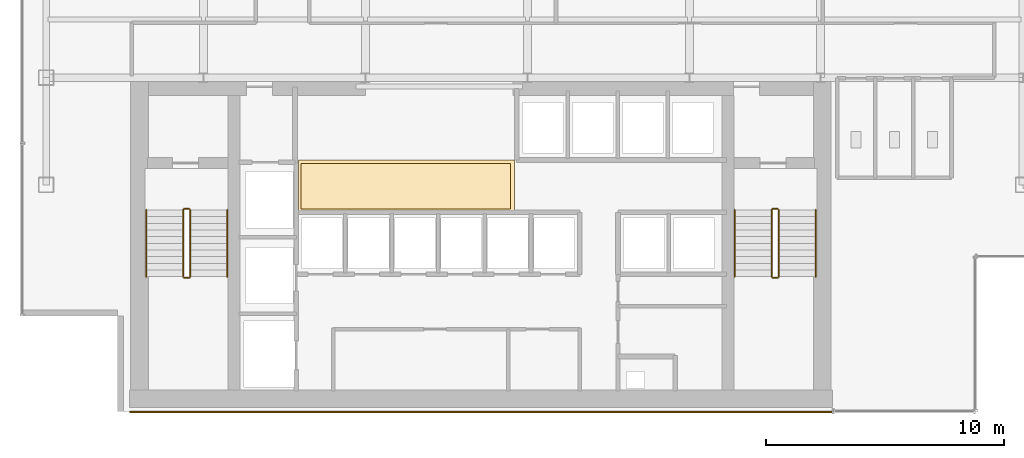
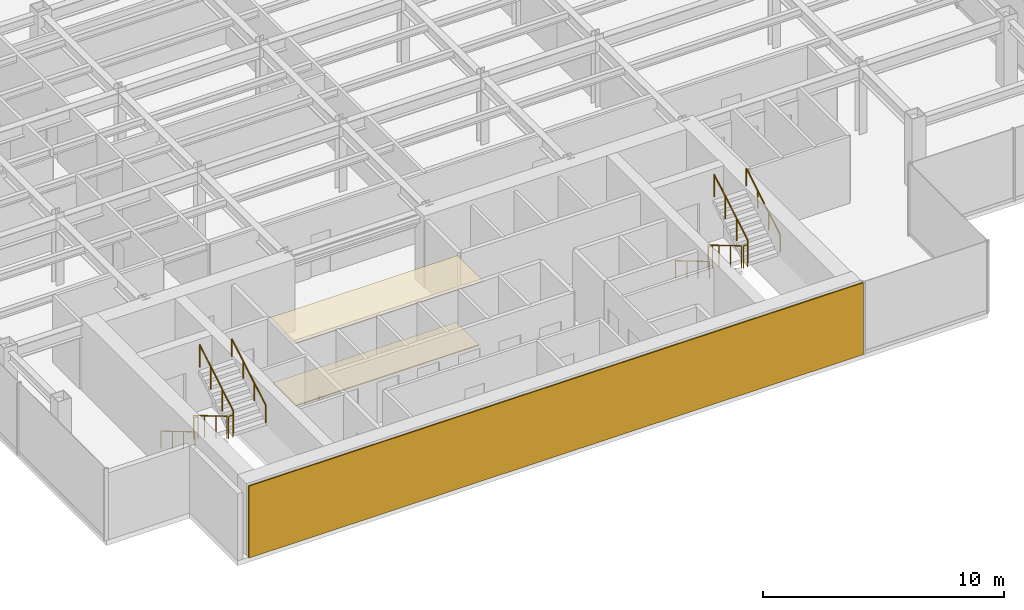
# One storey, part 23 of 25: 12 railings, 3 coverings.
"""IFC4 building model written with IfcOpenShell, lengths in metres."""

from ifc_helpers import new_model, si_unit, derived_unit, direction, frame, origin, origin_2d, place, context, subcontext, project, spatial, polyline, rectangle, circle, outline, extrude, source, transform, mapped, material, layer, layer_set, type_object, element, save


model = new_model("IFC4")

# Units and contexts
model_context = context("Model", 3, precision=1e-05, world=origin(), true_north=direction((0.0, 1.0)))
body_context = subcontext(model_context, "Body", "Model", "MODEL_VIEW")
ifc_project = project(units=[si_unit("LENGTHUNIT", "METRE"), si_unit("AREAUNIT", "SQUARE_METRE"), si_unit("VOLUMEUNIT", "CUBIC_METRE"), si_unit("PLANEANGLEUNIT", "RADIAN"), si_unit("MASSUNIT", "GRAM", prefix="KILO"), derived_unit("THERMALTRANSMITTANCEUNIT", [(si_unit("POWERUNIT", "WATT"), 1), (si_unit("LENGTHUNIT", "METRE"), -2), (si_unit("THERMODYNAMICTEMPERATUREUNIT", "KELVIN"), -1)])], contexts=[model_context])

# Site, building, storey
site_placement = place(None, origin())
site = spatial("IfcSite", under=ifc_project, at=site_placement, CompositionType="ELEMENT")
building_placement = place(site_placement, origin())
building = spatial("IfcBuilding", under=site, at=building_placement, Name="Skarnbrae Concourse Arena and Tower", CompositionType="ELEMENT")
storey_placement = place(building_placement, frame((0.0, 0.0, 169.800048828125)))
storey = spatial("IfcBuildingStorey", under=building, at=storey_placement, Name="L43", CompositionType="ELEMENT", Elevation=169.800048828125)

# Coverings
ifc_material_1 = material(Name="Mineral fibre acoustic ceiling tile", Category="other")
ifc_layer_1 = layer(ifc_material_1, 0.0400390625)
ifc_layer_set_1 = layer_set([ifc_layer_1], Name="Mineral fibre acoustic ceiling tile")
covering_type_1 = type_object("IfcCoveringType", Name="COV-CEIL-ACOUSTIC", PredefinedType="CEILING", material=ifc_layer_set_1)
covering_1_placement = place(storey_placement, frame((0.0, 0.0, 3.239990234375)))
element("IfcCovering", 1, at=covering_1_placement, inside=storey, type_object=covering_type_1, Name="L43 Lift lobby acoustic ceiling", PredefinedType="CEILING", context=body_context, shape_type="SweptSolid", body=[
    extrude(outline(polyline([(11.60009765625, 8.39990234375), (20.64990234375, 8.39990234375), (20.64990234375, 10.550048828125), (11.60009765625, 10.550048828125), (11.60009765625, 8.39990234375)])), origin(), (0.0, 0.0, 1.0), 0.0400390625),
])
ifc_material_2 = material(Name="Polished granite terrazzo flooring", Category="masonry")
ifc_layer_2 = layer(ifc_material_2, 0.0400390625)
ifc_layer_set_2 = layer_set([ifc_layer_2], Name="Polished granite terrazzo flooring")
covering_type_2 = type_object("IfcCoveringType", Name="COV-FLOOR-TERRAZZO", PredefinedType="FLOORING", material=ifc_layer_set_2)
covering_2_placement = place(storey_placement, origin())
element("IfcCovering", 2, at=covering_2_placement, inside=storey, type_object=covering_type_2, Name="L43 Lift lobby terrazzo flooring", PredefinedType="FLOORING", context=body_context, shape_type="SweptSolid", body=[
    extrude(outline(polyline([(11.699951171875, 8.5), (20.5, 8.5), (20.5, 10.39990234375), (11.699951171875, 10.39990234375), (11.699951171875, 8.5)])), origin(), (0.0, 0.0, 1.0), 0.0400390625),
])

# Railings
ifc_material_3 = material(Name="Steel CSA G40.21 350W", Category="steel")
railing_type_1 = type_object("IfcRailingType", Name="RAIL-HANDRAIL-900", PredefinedType="HANDRAIL", material=ifc_material_3)
railing_1_placement = place(storey_placement, frame((5.199951171875, 8.449951171875, 0.165771484375)))
element("IfcRailing", 3, at=railing_1_placement, inside=storey, type_object=railing_type_1, Name="L43 ST-1 stair handrail 1", PredefinedType="HANDRAIL", context=body_context, shape_type="SweptSolid", body=[
    extrude(circle(Radius=0.02392578125, at=origin_2d()), frame((0.0, 0.0, 0.8759765625), z_axis=(0.0, -0.860306154799, 0.50977771628), x_axis=(1.0, 0.0, 0.0)), (0.0, 0.0, 1.0), 3.254638671875),
    extrude(circle(Radius=0.02099609375, at=origin_2d()), origin(), (0.0, 0.0, 1.0), 0.851806640625),
    extrude(circle(Radius=0.02099609375, at=origin_2d()), frame((0.0, -0.933349609375, 0.552978515625)), (0.0, 0.0, 1.0), 0.851806640625),
    extrude(circle(Radius=0.02099609375, at=origin_2d()), frame((0.0, -1.86669921875, 1.106201171875)), (0.0, 0.0, 1.0), 0.851806640625),
    extrude(circle(Radius=0.02099609375, at=origin_2d()), frame((0.0, -2.800048828125, 1.6591796875)), (0.0, 0.0, 1.0), 0.851806640625),
])
railing_2_placement = place(storey_placement, frame((8.60009765625, 5.64990234375, 1.990966796875)))
element("IfcRailing", 4, at=railing_2_placement, inside=storey, type_object=railing_type_1, Name="L43 ST-1 stair handrail 2", PredefinedType="HANDRAIL", context=body_context, shape_type="SweptSolid", body=[
    extrude(circle(Radius=0.02392578125, at=origin_2d()), frame((0.0, 0.0, 0.8759765625), z_axis=(0.0, 0.860339051648, 0.50972219513), x_axis=(-1.0, 0.0, 0.0)), (0.0, 0.0, 1.0), 3.254638671875),
    extrude(circle(Radius=0.02099609375, at=origin_2d()), origin(), (0.0, 0.0, 1.0), 0.851806640625),
    extrude(circle(Radius=0.02099609375, at=origin_2d()), frame((0.0, 0.933349609375, 0.552978515625)), (0.0, 0.0, 1.0), 0.851806640625),
    extrude(circle(Radius=0.02099609375, at=origin_2d()), frame((0.0, 1.86669921875, 1.10595703125)), (0.0, 0.0, 1.0), 0.851806640625),
    extrude(circle(Radius=0.02099609375, at=origin_2d()), frame((0.0, 2.800048828125, 1.658935546875)), (0.0, 0.0, 1.0), 0.851806640625),
])
railing_3_placement = place(storey_placement, frame((29.89990234375, 8.449951171875, 0.165771484375)))
element("IfcRailing", 5, at=railing_3_placement, inside=storey, type_object=railing_type_1, Name="L43 ST-2 stair handrail 1", PredefinedType="HANDRAIL", context=body_context, shape_type="SweptSolid", body=[
    extrude(circle(Radius=0.02392578125, at=origin_2d()), frame((0.0, 0.0, 0.8759765625), z_axis=(0.0, -0.860306154799, 0.50977771628), x_axis=(1.0, 0.0, 0.0)), (0.0, 0.0, 1.0), 3.254638671875),
    extrude(circle(Radius=0.02099609375, at=origin_2d()), origin(), (0.0, 0.0, 1.0), 0.851806640625),
    extrude(circle(Radius=0.02099609375, at=origin_2d()), frame((0.0, -0.933349609375, 0.552978515625)), (0.0, 0.0, 1.0), 0.851806640625),
    extrude(circle(Radius=0.02099609375, at=origin_2d()), frame((0.0, -1.86669921875, 1.106201171875)), (0.0, 0.0, 1.0), 0.851806640625),
    extrude(circle(Radius=0.02099609375, at=origin_2d()), frame((0.0, -2.800048828125, 1.6591796875)), (0.0, 0.0, 1.0), 0.851806640625),
])
railing_4_placement = place(storey_placement, frame((33.300048828125, 5.64990234375, 1.990966796875)))
element("IfcRailing", 6, at=railing_4_placement, inside=storey, type_object=railing_type_1, Name="L43 ST-2 stair handrail 2", PredefinedType="HANDRAIL", context=body_context, shape_type="SweptSolid", body=[
    extrude(circle(Radius=0.02392578125, at=origin_2d()), frame((0.0, 0.0, 0.8759765625), z_axis=(0.0, 0.860339051648, 0.50972219513), x_axis=(-1.0, 0.0, 0.0)), (0.0, 0.0, 1.0), 3.254638671875),
    extrude(circle(Radius=0.02099609375, at=origin_2d()), origin(), (0.0, 0.0, 1.0), 0.851806640625),
    extrude(circle(Radius=0.02099609375, at=origin_2d()), frame((0.0, 0.933349609375, 0.552978515625)), (0.0, 0.0, 1.0), 0.851806640625),
    extrude(circle(Radius=0.02099609375, at=origin_2d()), frame((0.0, 1.86669921875, 1.10595703125)), (0.0, 0.0, 1.0), 0.851806640625),
    extrude(circle(Radius=0.02099609375, at=origin_2d()), frame((0.0, 2.800048828125, 1.658935546875)), (0.0, 0.0, 1.0), 0.851806640625),
])
railing_type_2 = type_object("IfcRailingType", Name="RAIL-STAIR-GUARD-1150", PredefinedType="GUARDRAIL", material=ifc_material_3)
railing_5_placement = place(storey_placement, frame((6.75, 8.449951171875, 0.165771484375)))
element("IfcRailing", 7, at=railing_5_placement, inside=storey, type_object=railing_type_2, Name="L43 ST-1 stair guard 1", PredefinedType="GUARDRAIL", context=body_context, shape_type="SweptSolid", body=[
    extrude(circle(Radius=0.02392578125, at=origin_2d()), frame((0.0, 0.0, 1.1259765625), z_axis=(0.0, -0.860306154799, 0.50977771628), x_axis=(1.0, 0.0, 0.0)), (0.0, 0.0, 1.0), 3.254638671875),
    extrude(circle(Radius=0.02099609375, at=origin_2d()), origin(), (0.0, 0.0, 1.0), 1.101806640625),
    extrude(circle(Radius=0.02099609375, at=origin_2d()), frame((0.0, -0.933349609375, 0.552978515625)), (0.0, 0.0, 1.0), 1.101806640625),
    extrude(circle(Radius=0.02099609375, at=origin_2d()), frame((0.0, -1.86669921875, 1.106201171875)), (0.0, 0.0, 1.0), 1.101806640625),
    extrude(circle(Radius=0.02099609375, at=origin_2d()), frame((0.0, -2.800048828125, 1.6591796875)), (0.0, 0.0, 1.0), 1.101806640625),
])
railing_6_placement = place(storey_placement, frame((6.800048828125, 5.60009765625, 1.824951171875)))
element("IfcRailing", 8, at=railing_6_placement, inside=storey, type_object=railing_type_2, Name="L43 ST-1 stair guard 2", PredefinedType="GUARDRAIL", context=body_context, shape_type="SweptSolid", body=[
    extrude(circle(Radius=0.02392578125, at=origin_2d()), frame((0.0, 0.0, 1.1259765625), z_axis=(1.0, 0.0, 0.0), x_axis=(0.0, 1.0, 0.0)), (0.0, 0.0, 1.0), 0.199951171875),
    extrude(circle(Radius=0.02099609375, at=origin_2d()), origin(), (0.0, 0.0, 1.0), 1.101806640625),
    extrude(circle(Radius=0.02099609375, at=origin_2d()), frame((0.199951171875, 0.0, 0.0)), (0.0, 0.0, 1.0), 1.101806640625),
])
railing_7_placement = place(storey_placement, frame((7.050048828125, 5.64990234375, 1.990966796875)))
element("IfcRailing", 9, at=railing_7_placement, inside=storey, type_object=railing_type_2, Name="L43 ST-1 stair guard 3", PredefinedType="GUARDRAIL", context=body_context, shape_type="SweptSolid", body=[
    extrude(circle(Radius=0.02392578125, at=origin_2d()), frame((0.0, 0.0, 1.1259765625), z_axis=(0.0, 0.860339051648, 0.50972219513), x_axis=(-1.0, 0.0, 0.0)), (0.0, 0.0, 1.0), 3.254638671875),
    extrude(circle(Radius=0.02099609375, at=origin_2d()), origin(), (0.0, 0.0, 1.0), 1.101806640625),
    extrude(circle(Radius=0.02099609375, at=origin_2d()), frame((0.0, 0.933349609375, 0.552978515625)), (0.0, 0.0, 1.0), 1.101806640625),
    extrude(circle(Radius=0.02099609375, at=origin_2d()), frame((0.0, 1.86669921875, 1.10595703125)), (0.0, 0.0, 1.0), 1.101806640625),
    extrude(circle(Radius=0.02099609375, at=origin_2d()), frame((0.0, 2.800048828125, 1.658935546875)), (0.0, 0.0, 1.0), 1.101806640625),
])
railing_8_placement = place(storey_placement, frame((6.800048828125, 8.5, 0.0)))
element("IfcRailing", 10, at=railing_8_placement, inside=storey, type_object=railing_type_2, Name="L43 ST-1 stair guard 4", PredefinedType="GUARDRAIL", context=body_context, shape_type="SweptSolid", body=[
    extrude(circle(Radius=0.02392578125, at=origin_2d()), frame((0.0, 0.0, 1.1259765625), z_axis=(1.0, 0.0, 0.0), x_axis=(0.0, 1.0, 0.0)), (0.0, 0.0, 1.0), 0.199951171875),
    extrude(circle(Radius=0.02099609375, at=origin_2d()), origin(), (0.0, 0.0, 1.0), 1.101806640625),
    extrude(circle(Radius=0.02099609375, at=origin_2d()), frame((0.199951171875, 0.0, 0.0)), (0.0, 0.0, 1.0), 1.101806640625),
])
railing_9_placement = place(storey_placement, frame((31.449951171875, 8.449951171875, 0.165771484375)))
element("IfcRailing", 11, at=railing_9_placement, inside=storey, type_object=railing_type_2, Name="L43 ST-2 stair guard 1", PredefinedType="GUARDRAIL", context=body_context, shape_type="SweptSolid", body=[
    extrude(circle(Radius=0.02392578125, at=origin_2d()), frame((0.0, 0.0, 1.1259765625), z_axis=(0.0, -0.860306154799, 0.50977771628), x_axis=(1.0, 0.0, 0.0)), (0.0, 0.0, 1.0), 3.254638671875),
    extrude(circle(Radius=0.02099609375, at=origin_2d()), origin(), (0.0, 0.0, 1.0), 1.101806640625),
    extrude(circle(Radius=0.02099609375, at=origin_2d()), frame((0.0, -0.933349609375, 0.552978515625)), (0.0, 0.0, 1.0), 1.101806640625),
    extrude(circle(Radius=0.02099609375, at=origin_2d()), frame((0.0, -1.86669921875, 1.106201171875)), (0.0, 0.0, 1.0), 1.101806640625),
    extrude(circle(Radius=0.02099609375, at=origin_2d()), frame((0.0, -2.800048828125, 1.6591796875)), (0.0, 0.0, 1.0), 1.101806640625),
])
railing_10_placement = place(storey_placement, frame((31.5, 5.60009765625, 1.824951171875)))
element("IfcRailing", 12, at=railing_10_placement, inside=storey, type_object=railing_type_2, Name="L43 ST-2 stair guard 2", PredefinedType="GUARDRAIL", context=body_context, shape_type="SweptSolid", body=[
    extrude(circle(Radius=0.02392578125, at=origin_2d()), frame((0.0, 0.0, 1.1259765625), z_axis=(1.0, 0.0, 0.0), x_axis=(0.0, 1.0, 0.0)), (0.0, 0.0, 1.0), 0.199951171875),
    extrude(circle(Radius=0.02099609375, at=origin_2d()), origin(), (0.0, 0.0, 1.0), 1.101806640625),
    extrude(circle(Radius=0.02099609375, at=origin_2d()), frame((0.199951171875, 0.0, 0.0)), (0.0, 0.0, 1.0), 1.101806640625),
])
railing_11_placement = place(storey_placement, frame((31.75, 5.64990234375, 1.990966796875)))
element("IfcRailing", 13, at=railing_11_placement, inside=storey, type_object=railing_type_2, Name="L43 ST-2 stair guard 3", PredefinedType="GUARDRAIL", context=body_context, shape_type="SweptSolid", body=[
    extrude(circle(Radius=0.02392578125, at=origin_2d()), frame((0.0, 0.0, 1.1259765625), z_axis=(0.0, 0.860339051648, 0.50972219513), x_axis=(-1.0, 0.0, 0.0)), (0.0, 0.0, 1.0), 3.254638671875),
    extrude(circle(Radius=0.02099609375, at=origin_2d()), origin(), (0.0, 0.0, 1.0), 1.101806640625),
    extrude(circle(Radius=0.02099609375, at=origin_2d()), frame((0.0, 0.933349609375, 0.552978515625)), (0.0, 0.0, 1.0), 1.101806640625),
    extrude(circle(Radius=0.02099609375, at=origin_2d()), frame((0.0, 1.86669921875, 1.10595703125)), (0.0, 0.0, 1.0), 1.101806640625),
    extrude(circle(Radius=0.02099609375, at=origin_2d()), frame((0.0, 2.800048828125, 1.658935546875)), (0.0, 0.0, 1.0), 1.101806640625),
])
railing_12_placement = place(storey_placement, frame((31.5, 8.5, 0.0)))
element("IfcRailing", 14, at=railing_12_placement, inside=storey, type_object=railing_type_2, Name="L43 ST-2 stair guard 4", PredefinedType="GUARDRAIL", context=body_context, shape_type="SweptSolid", body=[
    extrude(circle(Radius=0.02392578125, at=origin_2d()), frame((0.0, 0.0, 1.1259765625), z_axis=(1.0, 0.0, 0.0), x_axis=(0.0, 1.0, 0.0)), (0.0, 0.0, 1.0), 0.199951171875),
    extrude(circle(Radius=0.02099609375, at=origin_2d()), origin(), (0.0, 0.0, 1.0), 1.101806640625),
    extrude(circle(Radius=0.02099609375, at=origin_2d()), frame((0.199951171875, 0.0, 0.0)), (0.0, 0.0, 1.0), 1.101806640625),
])

# Covering
ifc_material_4 = material(Name="Bronze anodised aluminium 6063-T6", Category="aluminium")
ifc_layer_3 = layer(ifc_material_4, 0.06005859375)
ifc_layer_set_3 = layer_set([ifc_layer_3], Name="Bronze anodised aluminium 6063-T6")
covering_type_3 = type_object("IfcCoveringType", Name="COV-CLAD-BRONZE-60", PredefinedType="CLADDING", material=ifc_layer_set_3)
shared_shape = source(origin(), body_context, "Body", "SweptSolid", [
    extrude(rectangle(XDim=29.5, YDim=0.06005859375, at=origin_2d()), origin(), (0.0, 0.0, 1.0), 3.64990234375),
])
covering_3_placement = place(storey_placement, frame((19.25, -0.030029296875, 0.0), z_axis=(0.0, 0.0, 1.0), x_axis=(1.0, 0.0, 0.0)))
element("IfcCovering", 15, at=covering_3_placement, inside=storey, type_object=covering_type_3, Name="L43 Rear-core plumb spine bronze rainscreen panel", PredefinedType="CLADDING", context=body_context, shape_type="MappedRepresentation", body=[
    mapped(shared_shape, transform((0.0, 0.0, 0.0))),
])

save(model, "model.ifc")
